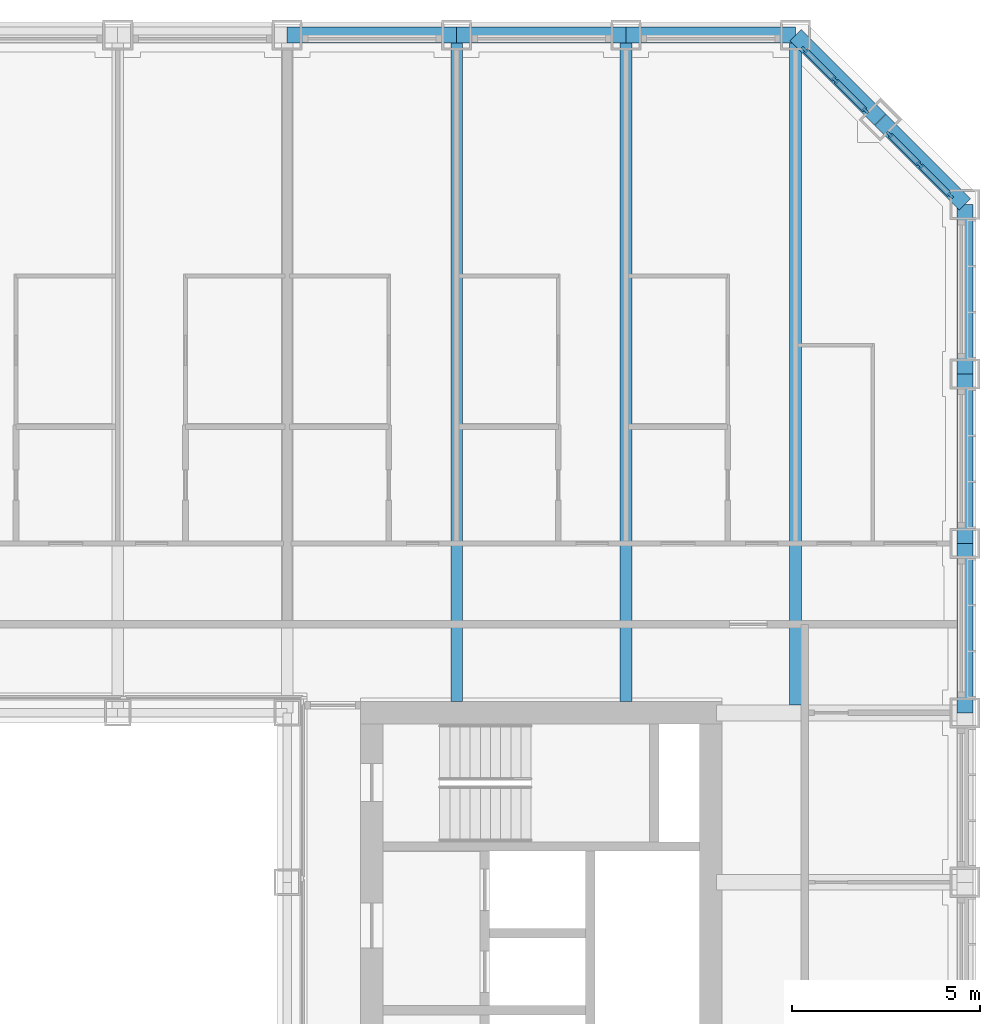
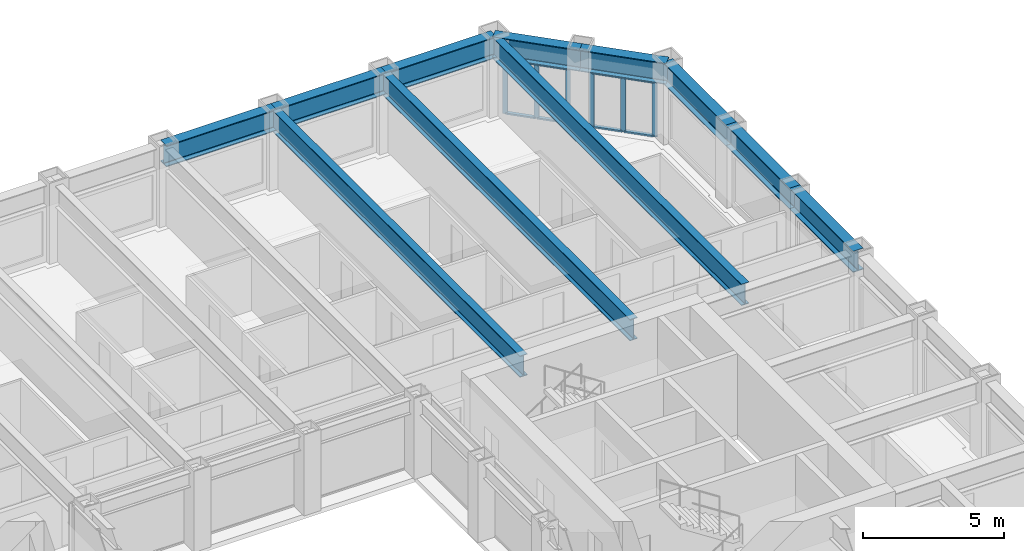
# One storey, part 7 of 21: 14 members, 11 beams, 2 elements without a shape of their own.
"""IFC4 building model written with IfcOpenShell, lengths in metres."""

from ifc_helpers import new_model, si_unit, direction, frame, origin, origin_2d, place, context, subcontext, project, spatial, rectangle, i_section, extrude, material, material_profile, profile_set, type_object, element, aggregate, save


model = new_model("IFC4")

# Units and contexts
model_context = context("Model", 3, precision=1e-05, world=origin(), true_north=direction((0.0, 1.0)))
body_context = subcontext(model_context, "Body", "Model", "MODEL_VIEW")
ifc_project = project(units=[si_unit("LENGTHUNIT", "METRE"), si_unit("AREAUNIT", "SQUARE_METRE"), si_unit("VOLUMEUNIT", "CUBIC_METRE"), si_unit("PLANEANGLEUNIT", "RADIAN"), si_unit("MASSUNIT", "GRAM", prefix="KILO")], contexts=[model_context])

# Site, building, storey
site_placement = place(None, origin())
site = spatial("IfcSite", under=ifc_project, at=site_placement, CompositionType="ELEMENT")
building_placement = place(site_placement, origin())
building = spatial("IfcBuilding", under=site, at=building_placement, Name="Msasa Ring Tower", CompositionType="ELEMENT")
storey_placement = place(building_placement, frame((0.0, 0.0, 72.0)))
storey = spatial("IfcBuildingStorey", under=building, at=storey_placement, Name="L18", CompositionType="ELEMENT", Elevation=72.0)

# Curtain wall, members
ifc_material_1 = material(Name="Aluminium curtain wall with clear glass", Category="aluminium")
curtain_wall_type = type_object("IfcCurtainWallType", Name="CW-C CHAMFER CORNER CURTAIN WALL", PredefinedType="NOTDEFINED", material=ifc_material_1)
curtain_wall_1_placement = place(storey_placement, origin())
curtain_wall_1 = element("IfcCurtainWall", 1, at=curtain_wall_1_placement, inside=storey, type_object=curtain_wall_type, Name="Chamfer corner curtain wall NE L18", PredefinedType="NOTDEFINED")
ifc_material_2 = material(Name="Aluminium mullion", Category="aluminium")
ifc_material_profile_1 = material_profile(ifc_material_2, rectangle(XDim=0.06494140625, YDim=0.179931640625, at=origin_2d()), Name="AL 65x180")
ifc_profile_set_1 = profile_set([ifc_material_profile_1], Name="Aluminium mullion")
member_type_1 = type_object("IfcMemberType", Name="CW-C MULLION 65x180", PredefinedType="MULLION", material=ifc_profile_set_1)
member_1_placement = place(storey_placement, frame((22.119873046875, 22.73876953125, 0.0), z_axis=(0.0, 0.0, 1.0), x_axis=(-0.707106781187, -0.707106781187, 0.0)))
member_1 = element("IfcMember", 2, at=member_1_placement, type_object=member_type_1, Name="CW-C mullion 1", PredefinedType="MULLION", context=body_context, shape_type="SweptSolid", body=[
    extrude(rectangle(XDim=0.06494140625, YDim=0.179931640625, at=origin_2d()), origin(), (0.0, 0.0, 1.0), 2.37890625),
])
member_2_placement = place(storey_placement, frame((21.30419921875, 23.55419921875, 0.0), z_axis=(0.0, 0.0, 1.0), x_axis=(-0.707106781187, -0.707106781187, 0.0)))
member_2 = element("IfcMember", 3, at=member_2_placement, type_object=member_type_1, Name="CW-C mullion 2", PredefinedType="MULLION", context=body_context, shape_type="SweptSolid", body=[
    extrude(rectangle(XDim=0.06494140625, YDim=0.179931640625, at=origin_2d()), origin(), (0.0, 0.0, 1.0), 2.37890625),
])
member_3_placement = place(storey_placement, frame((20.48876953125, 24.369873046875, 0.0), z_axis=(0.0, 0.0, 1.0), x_axis=(-0.707106781187, -0.707106781187, 0.0)))
member_3 = element("IfcMember", 4, at=member_3_placement, type_object=member_type_1, Name="CW-C mullion 3", PredefinedType="MULLION", context=body_context, shape_type="SweptSolid", body=[
    extrude(rectangle(XDim=0.06494140625, YDim=0.179931640625, at=origin_2d()), origin(), (0.0, 0.0, 1.0), 2.37890625),
])

curtain_wall_2_placement = place(storey_placement, origin())
curtain_wall_2 = element("IfcCurtainWall", 5, at=curtain_wall_2_placement, inside=storey, type_object=curtain_wall_type, Name="Chamfer corner curtain wall NE L18", PredefinedType="NOTDEFINED")
member_4_placement = place(storey_placement, frame((24.369873046875, 20.48876953125, 0.0), z_axis=(0.0, 0.0, 1.0), x_axis=(-0.707106781187, -0.707106781187, 0.0)))
member_4 = element("IfcMember", 6, at=member_4_placement, type_object=member_type_1, Name="CW-C mullion 1", PredefinedType="MULLION", context=body_context, shape_type="SweptSolid", body=[
    extrude(rectangle(XDim=0.06494140625, YDim=0.179931640625, at=origin_2d()), origin(), (0.0, 0.0, 1.0), 2.37890625),
])
member_5_placement = place(storey_placement, frame((23.55419921875, 21.30419921875, 0.0), z_axis=(0.0, 0.0, 1.0), x_axis=(-0.707106781187, -0.707106781187, 0.0)))
member_5 = element("IfcMember", 7, at=member_5_placement, type_object=member_type_1, Name="CW-C mullion 2", PredefinedType="MULLION", context=body_context, shape_type="SweptSolid", body=[
    extrude(rectangle(XDim=0.06494140625, YDim=0.179931640625, at=origin_2d()), origin(), (0.0, 0.0, 1.0), 2.37890625),
])
member_6_placement = place(storey_placement, frame((22.73876953125, 22.119873046875, 0.0), z_axis=(0.0, 0.0, 1.0), x_axis=(-0.707106781187, -0.707106781187, 0.0)))
member_6 = element("IfcMember", 8, at=member_6_placement, type_object=member_type_1, Name="CW-C mullion 3", PredefinedType="MULLION", context=body_context, shape_type="SweptSolid", body=[
    extrude(rectangle(XDim=0.06494140625, YDim=0.179931640625, at=origin_2d()), origin(), (0.0, 0.0, 1.0), 2.37890625),
])

# Member
ifc_material_3 = material(Name="Aluminium transom", Category="aluminium")
ifc_material_profile_2 = material_profile(ifc_material_3, rectangle(XDim=0.139892578125, YDim=0.06494140625, at=origin_2d()), Name="AL 65x140")
ifc_profile_set_2 = profile_set([ifc_material_profile_2], Name="Aluminium transom")
member_type_2 = type_object("IfcMemberType", Name="CW-C TRANSOM 65x140", PredefinedType="USERDEFINED", material=ifc_profile_set_2)
member_7_placement = place(storey_placement, frame((22.096923828125, 22.76171875, 0.032470703125), z_axis=(-0.707106781187, 0.707106781187, 0.0), x_axis=(-0.707106781187, -0.707106781187, 0.0)))
member_7 = element("IfcMember", 9, at=member_7_placement, type_object=member_type_2, Name="CW-C transom 1.1", ObjectType="TRANSOM", PredefinedType="USERDEFINED", context=body_context, shape_type="SweptSolid", body=[
    extrude(rectangle(XDim=0.139892578125, YDim=0.06494140625, at=origin_2d()), origin(), (0.0, 0.0, 1.0), 1.08837890625),
])

member_8_placement = place(storey_placement, frame((22.096923828125, 22.76171875, 2.346435546875), z_axis=(-0.707106781187, 0.707106781187, 0.0), x_axis=(-0.707106781187, -0.707106781187, 0.0)))
member_8 = element("IfcMember", 10, at=member_8_placement, type_object=member_type_2, Name="CW-C transom 1.2", ObjectType="TRANSOM", PredefinedType="USERDEFINED", context=body_context, shape_type="SweptSolid", body=[
    extrude(rectangle(XDim=0.139892578125, YDim=0.06494140625, at=origin_2d()), origin(), (0.0, 0.0, 1.0), 1.08837890625),
])

member_9_placement = place(storey_placement, frame((21.28125, 23.577392578125, 0.032470703125), z_axis=(-0.707106781187, 0.707106781187, 0.0), x_axis=(-0.707106781187, -0.707106781187, 0.0)))
member_9 = element("IfcMember", 11, at=member_9_placement, type_object=member_type_2, Name="CW-C transom 2.1", ObjectType="TRANSOM", PredefinedType="USERDEFINED", context=body_context, shape_type="SweptSolid", body=[
    extrude(rectangle(XDim=0.139892578125, YDim=0.06494140625, at=origin_2d()), origin(), (0.0, 0.0, 1.0), 1.08837890625),
])

member_10_placement = place(storey_placement, frame((21.28125, 23.577392578125, 2.346435546875), z_axis=(-0.707106781187, 0.707106781187, 0.0), x_axis=(-0.707106781187, -0.707106781187, 0.0)))
member_10 = element("IfcMember", 12, at=member_10_placement, type_object=member_type_2, Name="CW-C transom 2.2", ObjectType="TRANSOM", PredefinedType="USERDEFINED", context=body_context, shape_type="SweptSolid", body=[
    extrude(rectangle(XDim=0.139892578125, YDim=0.06494140625, at=origin_2d()), origin(), (0.0, 0.0, 1.0), 1.08837890625),
])

aggregate(curtain_wall_1, [member_1, member_2, member_3, member_7, member_8, member_9, member_10])

member_11_placement = place(storey_placement, frame((24.346923828125, 20.51171875, 0.032470703125), z_axis=(-0.707106781187, 0.707106781187, 0.0), x_axis=(-0.707106781187, -0.707106781187, 0.0)))
member_11 = element("IfcMember", 13, at=member_11_placement, type_object=member_type_2, Name="CW-C transom 1.1", ObjectType="TRANSOM", PredefinedType="USERDEFINED", context=body_context, shape_type="SweptSolid", body=[
    extrude(rectangle(XDim=0.139892578125, YDim=0.06494140625, at=origin_2d()), origin(), (0.0, 0.0, 1.0), 1.08837890625),
])

member_12_placement = place(storey_placement, frame((24.346923828125, 20.51171875, 2.346435546875), z_axis=(-0.707106781187, 0.707106781187, 0.0), x_axis=(-0.707106781187, -0.707106781187, 0.0)))
member_12 = element("IfcMember", 14, at=member_12_placement, type_object=member_type_2, Name="CW-C transom 1.2", ObjectType="TRANSOM", PredefinedType="USERDEFINED", context=body_context, shape_type="SweptSolid", body=[
    extrude(rectangle(XDim=0.139892578125, YDim=0.06494140625, at=origin_2d()), origin(), (0.0, 0.0, 1.0), 1.08837890625),
])

member_13_placement = place(storey_placement, frame((23.53125, 21.327392578125, 0.032470703125), z_axis=(-0.707106781187, 0.707106781187, 0.0), x_axis=(-0.707106781187, -0.707106781187, 0.0)))
member_13 = element("IfcMember", 15, at=member_13_placement, type_object=member_type_2, Name="CW-C transom 2.1", ObjectType="TRANSOM", PredefinedType="USERDEFINED", context=body_context, shape_type="SweptSolid", body=[
    extrude(rectangle(XDim=0.139892578125, YDim=0.06494140625, at=origin_2d()), origin(), (0.0, 0.0, 1.0), 1.08837890625),
])

member_14_placement = place(storey_placement, frame((23.53125, 21.327392578125, 2.346435546875), z_axis=(-0.707106781187, 0.707106781187, 0.0), x_axis=(-0.707106781187, -0.707106781187, 0.0)))
member_14 = element("IfcMember", 16, at=member_14_placement, type_object=member_type_2, Name="CW-C transom 2.2", ObjectType="TRANSOM", PredefinedType="USERDEFINED", context=body_context, shape_type="SweptSolid", body=[
    extrude(rectangle(XDim=0.139892578125, YDim=0.06494140625, at=origin_2d()), origin(), (0.0, 0.0, 1.0), 1.08837890625),
])

aggregate(curtain_wall_2, [member_4, member_5, member_6, member_11, member_12, member_13, member_14])

# Beams
ifc_material_4 = material(Name="Steel S355", Category="steel")
ifc_material_profile_3 = material_profile(ifc_material_4, i_section(OverallWidth=0.3076171875, OverallDepth=0.926513671875, WebThickness=0.01953125, FlangeThickness=0.031982421875, FilletRadius=0.01904296875, at=origin_2d()), Name="UB 914x305x289")
ifc_profile_set_3 = profile_set([ifc_material_profile_3], Name="Steel S355")
beam_type_1 = type_object("IfcBeamType", Name="FB3 UB 914x305x289", PredefinedType="BEAM", material=ifc_profile_set_3)
for number, where, z_axis, x_axis, name in (
    (17, (11.25, 24.75, 2.836669921875), (0.0, -1.0, 0.0), (1.0, 0.0, 0.0), "Floor beam N+11.25 under L19"),
    (18, (15.75, 24.75, 2.836669921875), (0.0, -1.0, 0.0), (1.0, 0.0, 0.0), "Floor beam N+15.75 under L19"),
):
    element("IfcBeam", number, at=place(storey_placement, frame(where, z_axis=z_axis, x_axis=x_axis)), inside=storey, type_object=beam_type_1, Name=name, PredefinedType="BEAM", context=body_context, shape_type="SweptSolid", body=[
        extrude(i_section(OverallWidth=0.3076171875, OverallDepth=0.926513671875, WebThickness=0.01953125, FlangeThickness=0.031982421875, FilletRadius=0.01904296875, at=origin_2d()), origin(), (0.0, 0.0, 1.0), 17.699951171875),
    ])
beam_placement = place(storey_placement, frame((20.25, 24.75, 2.836669921875), z_axis=(0.0, -1.0, 0.0), x_axis=(1.0, 0.0, 0.0)))
element("IfcBeam", 19, at=beam_placement, inside=storey, type_object=beam_type_1, Name="Floor beam N+20.25 under L19", PredefinedType="BEAM", context=body_context, shape_type="SweptSolid", body=[
    extrude(i_section(OverallWidth=0.3076171875, OverallDepth=0.926513671875, WebThickness=0.01953125, FlangeThickness=0.031982421875, FilletRadius=0.01904296875, at=origin_2d()), origin(), (0.0, 0.0, 1.0), 17.789794921875),
])
ifc_material_5 = material(Name="Steel S355", Category="steel")
ifc_material_profile_4 = material_profile(ifc_material_5, i_section(OverallWidth=0.42041015625, OverallDepth=0.9208984375, WebThickness=0.021484375, FlangeThickness=0.03662109375, FilletRadius=0.024169921875, at=origin_2d()), Name="UB 914x419x388")
ifc_profile_set_4 = profile_set([ifc_material_profile_4], Name="Steel S355")
beam_type_2 = type_object("IfcBeamType", Name="SB1 UB 914x419x388", PredefinedType="SPANDREL", material=ifc_profile_set_4)
for number, where, z_axis, x_axis, name in (
    (20, (24.75, 6.75, 2.839599609375), (0.0, 1.0, 0.0), (-1.0, 0.0, 0.0), "Spandrel E+6.75 to E+11.25 under L19"),
    (21, (24.75, 11.25, 2.839599609375), (0.0, 1.0, 0.0), (-1.0, 0.0, 0.0), "Spandrel E+11.25 to E+15.75 under L19"),
    (22, (24.75, 15.75, 2.839599609375), (0.0, 1.0, 0.0), (-1.0, 0.0, 0.0), "Spandrel E+15.75 to E+20.25 under L19"),
):
    element("IfcBeam", number, at=place(storey_placement, frame(where, z_axis=z_axis, x_axis=x_axis)), inside=storey, type_object=beam_type_2, Name=name, PredefinedType="SPANDREL", context=body_context, shape_type="SweptSolid", body=[
        extrude(i_section(OverallWidth=0.42041015625, OverallDepth=0.9208984375, WebThickness=0.021484375, FlangeThickness=0.03662109375, FilletRadius=0.024169921875, at=origin_2d()), origin(), (0.0, 0.0, 1.0), 4.5),
    ])
for number, where, z_axis, x_axis, name in (
    (23, (24.75, 20.25, 2.839599609375), (-0.707106781187, 0.707106781187, 0.0), (-0.707106781187, -0.707106781187, 0.0), "Spandrel E+20.25 to NE under L19"),
    (24, (22.5, 22.5, 2.839599609375), (-0.707106781187, 0.707106781187, 0.0), (-0.707106781187, -0.707106781187, 0.0), "Spandrel NE to N+20.25 under L19"),
):
    element("IfcBeam", number, at=place(storey_placement, frame(where, z_axis=z_axis, x_axis=x_axis)), inside=storey, type_object=beam_type_2, Name=name, PredefinedType="SPANDREL", context=body_context, shape_type="SweptSolid", body=[
        extrude(i_section(OverallWidth=0.42041015625, OverallDepth=0.9208984375, WebThickness=0.021484375, FlangeThickness=0.03662109375, FilletRadius=0.024169921875, at=origin_2d()), origin(), (0.0, 0.0, 1.0), 3.181884765625),
    ])
for number, where, z_axis, x_axis, name in (
    (25, (20.25, 24.75, 2.839599609375), (-1.0, 0.0, 0.0), (0.0, -1.0, 0.0), "Spandrel N+20.25 to N+15.75 under L19"),
    (26, (15.75, 24.75, 2.839599609375), (-1.0, 0.0, 0.0), (0.0, -1.0, 0.0), "Spandrel N+15.75 to N+11.25 under L19"),
    (27, (11.25, 24.75, 2.839599609375), (-1.0, 0.0, 0.0), (0.0, -1.0, 0.0), "Spandrel N+11.25 to N+6.75 under L19"),
):
    element("IfcBeam", number, at=place(storey_placement, frame(where, z_axis=z_axis, x_axis=x_axis)), inside=storey, type_object=beam_type_2, Name=name, PredefinedType="SPANDREL", context=body_context, shape_type="SweptSolid", body=[
        extrude(i_section(OverallWidth=0.42041015625, OverallDepth=0.9208984375, WebThickness=0.021484375, FlangeThickness=0.03662109375, FilletRadius=0.024169921875, at=origin_2d()), origin(), (0.0, 0.0, 1.0), 4.5),
    ])

save(model, "model.ifc")
